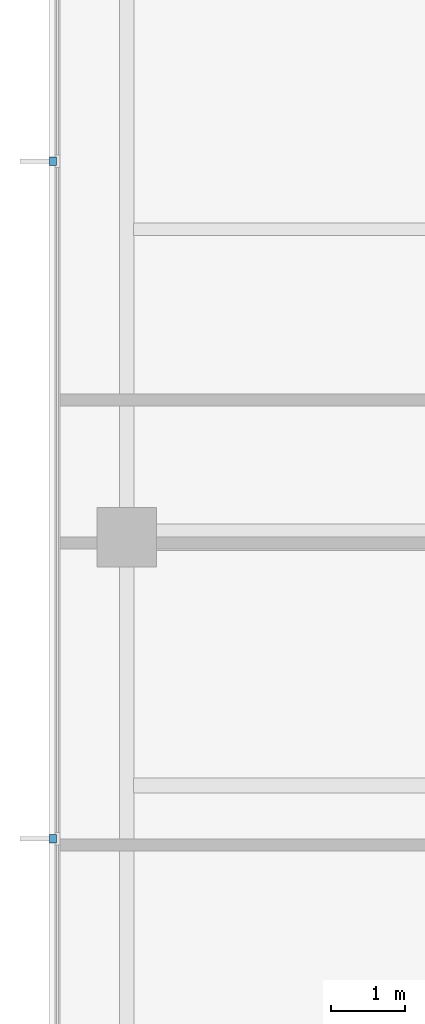
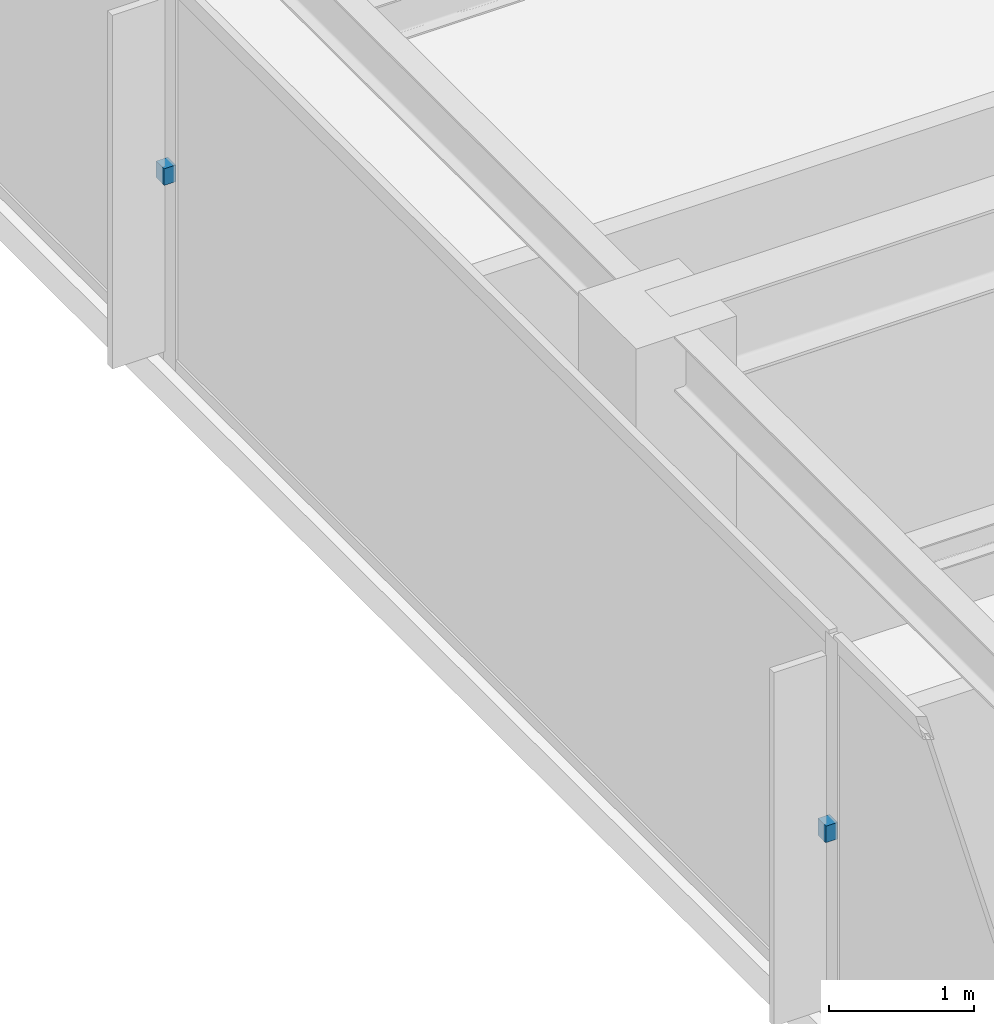
# One storey, part 9 of 11: 2 discrete accessories.
"""IFC4 building model written with IfcOpenShell, lengths in metres."""

from ifc_helpers import new_model, si_unit, direction, frame, origin, place, context, subcontext, project, spatial, polyline, outline, extrude, material, type_object, element, save


model = new_model("IFC4")

# Units and contexts
model_context = context("Model", 3, precision=1e-05, world=origin(), true_north=direction((0.0, 1.0)))
body_context = subcontext(model_context, "Body", "Model", "MODEL_VIEW")
ifc_project = project(units=[si_unit("LENGTHUNIT", "METRE"), si_unit("AREAUNIT", "SQUARE_METRE"), si_unit("VOLUMEUNIT", "CUBIC_METRE"), si_unit("PLANEANGLEUNIT", "RADIAN"), si_unit("MASSUNIT", "GRAM", prefix="KILO")], contexts=[model_context])

# Site, building, storey
site_placement = place(None, origin())
site = spatial("IfcSite", under=ifc_project, at=site_placement, CompositionType="ELEMENT")
building_placement = place(site_placement, origin())
building = spatial("IfcBuilding", under=site, at=building_placement, Name="Qalmaran Belvedere Hotel", CompositionType="ELEMENT")
storey_placement = place(building_placement, frame((0.0, 0.0, 263.39990234375)))
storey = spatial("IfcBuildingStorey", under=building, at=storey_placement, Name="L68", CompositionType="ELEMENT", Elevation=263.39990234375)

# Discrete accessories
ifc_material = material(Name="Stainless Steel 1.4401", Category="steel")
discrete_accessory_type = type_object("IfcDiscreteAccessoryType", Name="BRK-FIN-SS316", PredefinedType="BRACKET", material=ifc_material)
discrete_accessory_1_placement = place(storey_placement, frame((0.0, 0.0, 1.580078125)))
element("IfcDiscreteAccessory", 1, at=discrete_accessory_1_placement, inside=storey, type_object=discrete_accessory_type, Name="L68 Fin Bracket 1", PredefinedType="BRACKET", context=body_context, shape_type="SweptSolid", body=[
    extrude(outline(polyline([(11.455078125, 25.62158203125), (11.362548828125, 25.62158203125), (11.362548828125, 25.51171875), (11.455078125, 25.51171875), (11.455078125, 25.62158203125)])), origin(), (0.0, 0.0, 1.0), 0.14013671875),
])
discrete_accessory_2_placement = place(storey_placement, frame((0.0, 0.0, 1.580078125)))
element("IfcDiscreteAccessory", 2, at=discrete_accessory_2_placement, inside=storey, type_object=discrete_accessory_type, Name="L68 Fin Bracket 2", PredefinedType="BRACKET", context=body_context, shape_type="SweptSolid", body=[
    extrude(outline(polyline([(11.455078125, 16.48828125), (11.362548828125, 16.48828125), (11.362548828125, 16.37841796875), (11.455078125, 16.37841796875), (11.455078125, 16.48828125)])), origin(), (0.0, 0.0, 1.0), 0.14013671875),
])

save(model, "model.ifc")
